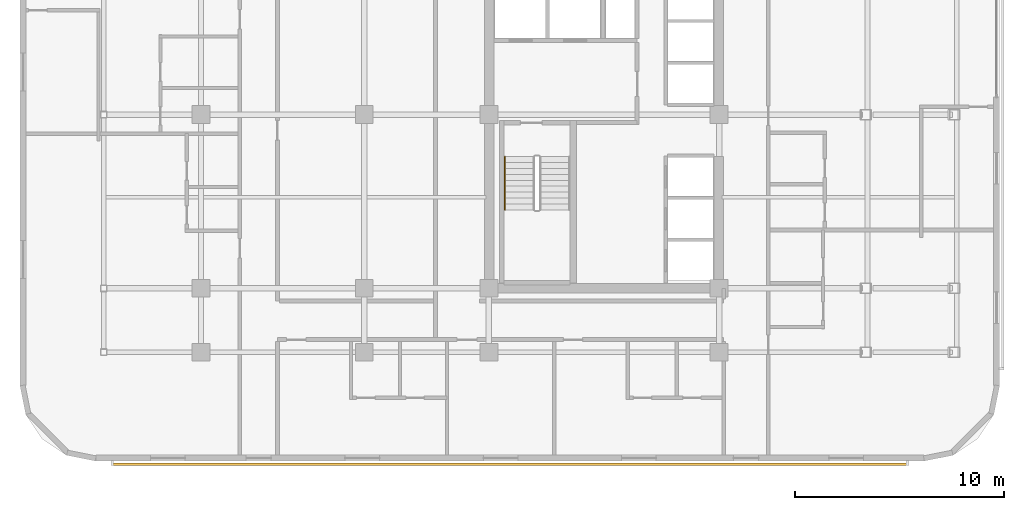
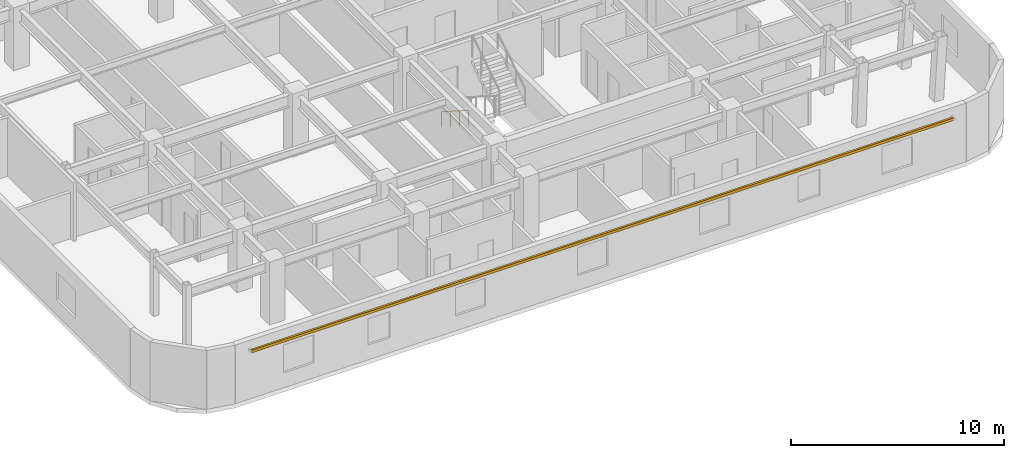
# One storey, part 13 of 15: 1 railing, 1 shading device.
"""IFC4 building model written with IfcOpenShell, lengths in metres."""

import ifcopenshell
import ifcopenshell.guid

model = None  # the IFC model being written
_history = None  # IfcOwnerHistory: only IFC2X3 demands one
_inside = {}  # id of a spatial element -> (the spatial element, [elements in it])
_under = {}  # id of a project, library or spatial element -> (it, [spatial elements below it])
_declared = {}  # id of a project -> (the project, [libraries it declares])
_typed = {}  # id of a type object -> (the type object, [elements of that type])
_made_of = {}  # id of a material, layer set ... -> (it, [elements and type objects made of it])


def new_model(schema):
    """Start an empty IFC model of exactly this schema.

    Asked for "IFC4X3", IfcOpenShell would pick the latest addendum, in which some entities
    have other attributes; the version numbers below select the first issue.
    IFC2X3 requires an IfcOwnerHistory on every rooted entity: one is made here for all.
    """
    global model, _history
    if schema == "IFC4X3":
        model = ifcopenshell.file(schema_version=(4, 3, 0, 0))
    else:
        model = ifcopenshell.file(schema=schema)
    _inside.clear()
    _under.clear()
    _declared.clear()
    _typed.clear()
    _made_of.clear()
    _history = None
    if model.schema == "IFC2X3":
        org = make("IfcOrganization", Name="unknown")
        user = make(
            "IfcPersonAndOrganization",
            ThePerson=make("IfcPerson", FamilyName="unknown"),
            TheOrganization=org,
        )
        app = make(
            "IfcApplication",
            ApplicationDeveloper=org,
            Version="unknown",
            ApplicationFullName="unknown",
            ApplicationIdentifier="unknown",
        )
        _history = make(
            "IfcOwnerHistory",
            OwningUser=user,
            OwningApplication=app,
            ChangeAction="ADDED",
            CreationDate=0,
        )
    return model


def make(cls, **values):
    """One entity of the class cls with the attributes given. An attribute that is None is left unset."""
    return model.create_entity(
        cls, **{name: value for name, value in values.items() if value is not None}
    )


def rooted(cls, **values):
    """An entity with a GlobalId (a new one), such as an element, a storey or a relation."""
    return make(cls, GlobalId=ifcopenshell.guid.new(), OwnerHistory=_history, **values)


def si_unit(unit_type, name, prefix=None):
    """IfcSIUnit, for example si_unit("LENGTHUNIT", "METRE", prefix="MILLI")."""
    return make("IfcSIUnit", UnitType=unit_type, Prefix=prefix, Name=name)


def assignment(units):
    """IfcUnitAssignment: the units of a project."""
    return None if units is None else make("IfcUnitAssignment", Units=units)


def point(xyz):
    """IfcCartesianPoint."""
    return None if xyz is None else make("IfcCartesianPoint", Coordinates=xyz)


def direction(xyz):
    """IfcDirection."""
    return None if xyz is None else make("IfcDirection", DirectionRatios=xyz)


def frame(location, z_axis=None, x_axis=None):
    """IfcAxis2Placement3D, a coordinate frame: its origin and axes. An axis left out is left unset."""
    return make(
        "IfcAxis2Placement3D",
        Location=point(location),
        Axis=direction(z_axis),
        RefDirection=direction(x_axis),
    )


def frame_2d(location, x_axis=None):
    """IfcAxis2Placement2D, a coordinate frame in the plane: its origin and x axis."""
    return make(
        "IfcAxis2Placement2D", Location=point(location), RefDirection=direction(x_axis)
    )


def origin():
    """The frame at (0, 0, 0) with its axes left unset."""
    return frame((0.0, 0.0, 0.0))


def origin_2d():
    """The frame at (0, 0) in the plane with its x axis left unset."""
    return frame_2d((0.0, 0.0))


def place(relative_to, where):
    """IfcLocalPlacement: puts the frame where relative to a parent placement (None: the world)."""
    return make(
        "IfcLocalPlacement", PlacementRelTo=relative_to, RelativePlacement=where
    )


def context(
    kind, dimensions, precision=None, world=None, true_north=None, identifier=None
):
    """IfcGeometricRepresentationContext, for example the 3D "Model" context."""
    return make(
        "IfcGeometricRepresentationContext",
        ContextIdentifier=identifier,
        ContextType=kind,
        CoordinateSpaceDimension=dimensions,
        Precision=precision,
        WorldCoordinateSystem=world,
        TrueNorth=true_north,
    )


def subcontext(parent, identifier, kind, view, scale=None):
    """IfcGeometricRepresentationSubContext, for example "Body" below "Model"."""
    return make(
        "IfcGeometricRepresentationSubContext",
        ContextIdentifier=identifier,
        ContextType=kind,
        ParentContext=parent,
        TargetScale=scale,
        TargetView=view,
    )


def project(units=None, contexts=None):
    """IfcProject with its units and contexts."""
    return rooted(
        "IfcProject",
        Name="project",
        RepresentationContexts=contexts,
        UnitsInContext=assignment(units),
    )


def spatial(cls, under=None, at=None, **own):
    """A site, building, storey or space (cls), placed at a placement, below another one or the project."""
    s = rooted(cls, ObjectPlacement=at, **own)
    if under is not None:
        _under.setdefault(under.id(), (under, []))[1].append(s)
    return s


def profile(cls, at=None, kind="AREA", **sizes):
    """A parametric profile (cls). Its sizes go by their IFC names, for example OverallWidth=200.0."""
    return make(cls, ProfileType=kind, Position=at, **sizes)


def rectangle(**sizes):
    """IfcRectangleProfileDef."""
    return profile("IfcRectangleProfileDef", **sizes)


def circle(**sizes):
    """IfcCircleProfileDef."""
    return profile("IfcCircleProfileDef", **sizes)


def extrude(swept, where, along, depth):
    """IfcExtrudedAreaSolid: the profile swept, set in the frame where, extruded along a direction by depth."""
    return make(
        "IfcExtrudedAreaSolid",
        SweptArea=swept,
        Position=where,
        ExtrudedDirection=direction(along),
        Depth=depth,
    )


def shape(context_of_items, identifier, shape_type, items):
    """IfcShapeRepresentation: the items that make up one representation, for example the "Body"."""
    return make(
        "IfcShapeRepresentation",
        ContextOfItems=context_of_items,
        RepresentationIdentifier=identifier,
        RepresentationType=shape_type,
        Items=items,
    )


def material(Name=None, Category=None):
    """IfcMaterial."""
    return make("IfcMaterial", Name=Name, Category=Category)


def material_profile(
    of_material, cross_section, Name=None, Category=None, Priority=None
):
    """IfcMaterialProfile: a cross section and its material."""
    return make(
        "IfcMaterialProfile",
        Name=Name,
        Material=of_material,
        Profile=cross_section,
        Priority=Priority,
        Category=Category,
    )


def profile_set(profiles, Name=None, composite=None):
    """IfcMaterialProfileSet."""
    return make(
        "IfcMaterialProfileSet",
        Name=Name,
        MaterialProfiles=profiles,
        CompositeProfile=composite,
    )


def made_of(thing, what):
    """Note that an element or type object is made of a material, layer set ...; save() writes the relation."""
    if what is not None:
        _made_of.setdefault(what.id(), (what, []))[1].append(thing)
    return thing


def type_object(cls, material=None, **own):
    """A type object (cls), such as IfcWallType, which elements share."""
    return made_of(rooted(cls, **own), material)


def element(
    cls,
    number,
    at=None,
    inside=None,
    cuts=None,
    type_object=None,
    material=None,
    context=None,
    identifier="Body",
    shape_type=None,
    held_by="IfcProductDefinitionShape",
    body=None,
    shapes=None,
    **own,
):
    """One element of the class cls, such as IfcWall. Its Tag is "e" and its number.

    at: its placement. inside: the storey or other place that contains it. cuts: it is an
    opening in that element (IfcRelVoidsElement). A single representation is given by context,
    identifier, shape_type and body (its items); several are given by shapes. held_by: the class
    of the entity that holds the representations. save() writes the other relations.
    """
    e = rooted(cls, Tag="e%d" % number, ObjectPlacement=at, **own)
    if body is not None:
        shapes = [shape(context, identifier, shape_type, body)]
    if shapes is not None:
        e.Representation = make(held_by, Representations=shapes)
    if inside is not None:
        _inside.setdefault(inside.id(), (inside, []))[1].append(e)
    if cuts is not None:
        rooted(
            "IfcRelVoidsElement", RelatingBuildingElement=cuts, RelatedOpeningElement=e
        )
    if type_object is not None:
        _typed.setdefault(type_object.id(), (type_object, []))[1].append(e)
    return made_of(e, material)


def aggregate(whole, parts):
    """IfcRelAggregates: a whole, such as a stair, and the parts it consists of."""
    return rooted("IfcRelAggregates", RelatingObject=whole, RelatedObjects=parts)


def save(model, path):
    """Write the relations noted so far, then the file.

    IfcRelAggregates (storeys below a building ...), IfcRelContainedInSpatialStructure (elements
    in a storey), IfcRelDefinesByType, IfcRelAssociatesMaterial and IfcRelDeclares: one each for
    every whole, place, type object, material and project.
    """
    for whole, parts in _under.values():
        aggregate(whole, parts)
    for where, things in _inside.values():
        rooted(
            "IfcRelContainedInSpatialStructure",
            RelatedElements=things,
            RelatingStructure=where,
        )
    for kind, things in _typed.values():
        rooted("IfcRelDefinesByType", RelatedObjects=things, RelatingType=kind)
    for what, things in _made_of.values():
        rooted("IfcRelAssociatesMaterial", RelatedObjects=things, RelatingMaterial=what)
    for by, libraries in _declared.values():
        rooted("IfcRelDeclares", RelatingContext=by, RelatedDefinitions=libraries)
    model.write(path)


model = new_model("IFC4")

# Units and contexts
model_context = context("Model", 3, precision=1e-05, world=origin(), true_north=direction((0.0, 1.0)))
body_context = subcontext(model_context, "Body", "Model", "MODEL_VIEW")
ifc_project = project(units=[si_unit("LENGTHUNIT", "METRE"), si_unit("AREAUNIT", "SQUARE_METRE"), si_unit("VOLUMEUNIT", "CUBIC_METRE"), si_unit("PLANEANGLEUNIT", "RADIAN"), si_unit("MASSUNIT", "GRAM", prefix="KILO")], contexts=[model_context])

# Site, building, storey
site_placement = place(None, origin())
site = spatial("IfcSite", under=ifc_project, at=site_placement, CompositionType="ELEMENT")
building_placement = place(site_placement, origin())
building = spatial("IfcBuilding", under=site, at=building_placement, Name="Ochreholt Gables", CompositionType="ELEMENT")
storey_placement = place(building_placement, frame((0.0, 0.0, 64.199951171875)))
storey = spatial("IfcBuildingStorey", under=building, at=storey_placement, Name="L16", CompositionType="ELEMENT", Elevation=64.199951171875)

# Railing
ifc_material_1 = material(Name="Brushed Stainless Steel Wall Handrail", Category="steel")
railing_type = type_object("IfcRailingType", Name="RL-ST-HAND", PredefinedType="HANDRAIL", material=ifc_material_1)
railing_placement = place(storey_placement, frame((24.969970703125, 15.5400390625, 0.179931640625)))
element("IfcRailing", 1, at=railing_placement, inside=storey, type_object=railing_type, Name="L16 ST-1 stair handrail 1", PredefinedType="HANDRAIL", context=body_context, shape_type="SweptSolid", body=[
    extrude(circle(Radius=0.02392578125, at=origin_2d()), frame((0.0, 0.0, 0.8759765625), z_axis=(0.0, -0.842912820907, 0.538050161556), x_axis=(1.0, 0.0, 0.0)), (0.0, 0.0, 1.0), 3.010986328125),
    extrude(circle(Radius=0.02099609375, at=origin_2d()), origin(), (0.0, 0.0, 1.0), 0.851806640625),
    extrude(circle(Radius=0.02099609375, at=origin_2d()), frame((0.0, -0.845947265625, 0.5400390625)), (0.0, 0.0, 1.0), 0.851806640625),
    extrude(circle(Radius=0.02099609375, at=origin_2d()), frame((0.0, -1.692138671875, 1.080078125)), (0.0, 0.0, 1.0), 0.851806640625),
    extrude(circle(Radius=0.02099609375, at=origin_2d()), frame((0.0, -2.5380859375, 1.6201171875)), (0.0, 0.0, 1.0), 0.851806640625),
])

# Shading device
ifc_material_2 = material(Name="Warm Ochre Glazed Terracotta Baguette", Category="masonry")
ifc_material_profile = material_profile(ifc_material_2, rectangle(XDim=0.110107421875, YDim=0.14990234375, at=origin_2d()), Name="TCBAG110X150")
ifc_profile_set = profile_set([ifc_material_profile], Name="Warm Ochre Glazed Terracotta Baguette")
shading_device_type = type_object("IfcShadingDeviceType", Name="SHD-BAGUETTE", PredefinedType="USERDEFINED", material=ifc_profile_set)
shading_device_placement = place(storey_placement, frame((6.199951171875, 0.85009765625, 2.840087890625), z_axis=(1.0, 0.0, 0.0), x_axis=(0.0, 1.0, 0.0)))
element("IfcShadingDevice", 2, at=shading_device_placement, inside=storey, type_object=shading_device_type, Name="L16 Terracotta Baguette Screen S-1", ObjectType="BAGUETTE", PredefinedType="USERDEFINED", context=body_context, shape_type="SweptSolid", body=[
    extrude(rectangle(XDim=0.110107421875, YDim=0.14990234375, at=origin_2d()), origin(), (0.0, 0.0, 1.0), 38.0),
])

save(model, "model.ifc")
